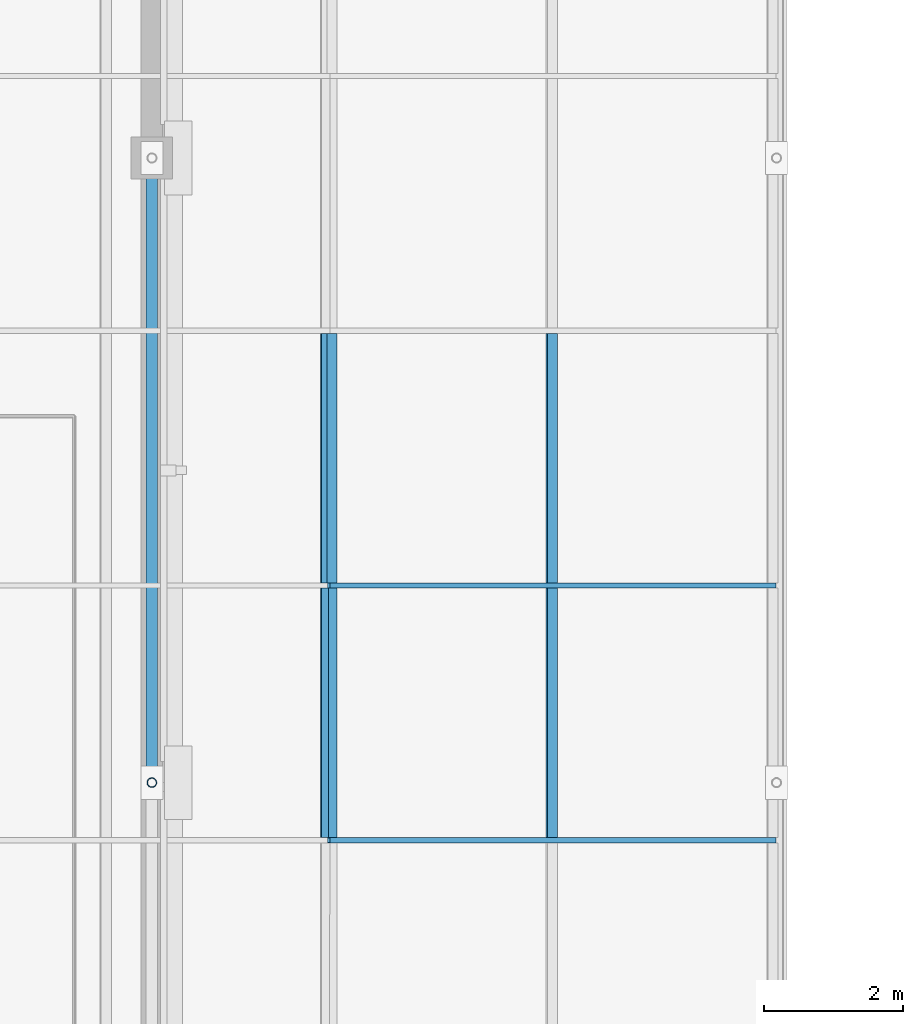
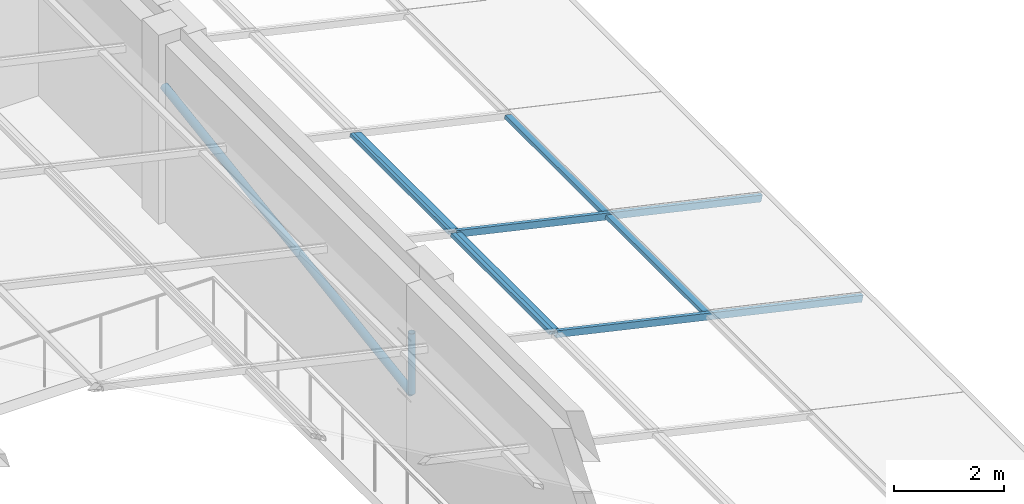
# One storey, part 85 of 130: 10 members, 2 elements without a shape of their own.
"""IFC4 building model written with IfcOpenShell, lengths in metres."""

from ifc_helpers import new_model, si_unit, direction, frame, origin, origin_2d, place, context, subcontext, project, spatial, hollow_rectangle, hollow_circle, extrude, material, material_profile, profile_set, type_object, element, aggregate, save


model = new_model("IFC4")

# Units and contexts
model_context = context("Model", 3, precision=1e-05, world=origin(), true_north=direction((0.0, 1.0)))
body_context = subcontext(model_context, "Body", "Model", "MODEL_VIEW")
ifc_project = project(units=[si_unit("LENGTHUNIT", "METRE"), si_unit("AREAUNIT", "SQUARE_METRE"), si_unit("VOLUMEUNIT", "CUBIC_METRE"), si_unit("PLANEANGLEUNIT", "RADIAN"), si_unit("MASSUNIT", "GRAM", prefix="KILO")], contexts=[model_context])

# Site, building, storey
site_placement = place(None, origin())
site = spatial("IfcSite", under=ifc_project, at=site_placement, CompositionType="ELEMENT")
building_placement = place(site_placement, origin())
building = spatial("IfcBuilding", under=site, at=building_placement, Name="Lykobir Media Centre", CompositionType="ELEMENT")
storey_placement = place(building_placement, frame((0.0, 0.0, 19.199951171875)))
storey = spatial("IfcBuildingStorey", under=building, at=storey_placement, Name="L04", CompositionType="ELEMENT", Elevation=19.199951171875)

# Members
ifc_material_1 = material(Name="Steel S355", Category="steel")
ifc_material_profile_1 = material_profile(ifc_material_1, hollow_circle(Radius=0.06982421875, WallThickness=0.008056640625, at=origin_2d()), Name="CHS 139.7x8.0")
ifc_profile_set_1 = profile_set([ifc_material_profile_1], Name="Steel S355")
member_type_1 = type_object("IfcMemberType", Name="BR-CHS140", PredefinedType="BRACE", material=ifc_profile_set_1)
member_1_placement = place(storey_placement, frame((72.0, 90.0, 2.780029296875), z_axis=(0.0, 0.0, -1.0), x_axis=(1.0, 0.0, 0.0)))
element("IfcMember", 1, at=member_1_placement, inside=storey, type_object=member_type_1, Name="Diagonal brace MEM2-L04-0720-0900-0220-0720-0900-0491", PredefinedType="BRACE", context=body_context, shape_type="SweptSolid", body=[
    extrude(hollow_circle(Radius=0.06982421875, WallThickness=0.008056640625, at=origin_2d()), origin(), (0.0, 0.0, 1.0), 1.35009765625),
])
ifc_material_profile_2 = material_profile(ifc_material_1, hollow_circle(Radius=0.084228515625, WallThickness=0.010009765625, at=origin_2d()), Name="CHS 168.3x10.0")
ifc_profile_set_2 = profile_set([ifc_material_profile_2], Name="Steel S355")
member_type_2 = type_object("IfcMemberType", Name="BR-CHS168", PredefinedType="BRACE", material=ifc_profile_set_2)
member_2_placement = place(storey_placement, frame((72.0, 90.0, 1.429931640625), z_axis=(0.0, 0.988934778637, 0.148350947425), x_axis=(-1.0, 0.0, 0.0)))
element("IfcMember", 2, at=member_2_placement, inside=storey, type_object=member_type_2, Name="Diagonal brace MEM2-L04-0720-0900-0206-0720-0990-0492", PredefinedType="BRACE", context=body_context, shape_type="SweptSolid", body=[
    extrude(hollow_circle(Radius=0.084228515625, WallThickness=0.010009765625, at=origin_2d()), origin(), (0.0, 0.0, 1.0), 9.1005859375),
])

# Curtain wall, members
ifc_material_2 = material(Name="Anodized Aluminium AW-6060", Category="aluminium")
curtain_wall_type = type_object("IfcCurtainWallType", Name="CW-V6-SKY", PredefinedType="NOTDEFINED", material=ifc_material_2)
curtain_wall_1_placement = place(storey_placement, origin())
curtain_wall_1 = element("IfcCurtainWall", 3, at=curtain_wall_1_placement, inside=storey, type_object=curtain_wall_type, Name="Curtain wall CW-V6-SKY01", PredefinedType="NOTDEFINED")
ifc_material_profile_3 = material_profile(ifc_material_2, hollow_rectangle(XDim=0.074951171875, YDim=0.14990234375, WallThickness=0.00341796875, at=origin_2d()), Name="ALU TRANSOM 75x150")
ifc_profile_set_3 = profile_set([ifc_material_profile_3], Name="Anodized Aluminium AW-6060")
member_type_3 = type_object("IfcMemberType", Name="CWT-150", PredefinedType="USERDEFINED", material=ifc_profile_set_3)
member_3_placement = place(storey_placement, frame((80.977783203125, 92.840087890625, 0.901611328125), z_axis=(-0.97526330388, 0.0, 0.221046348318), x_axis=(0.0, -1.0, 0.0)))
member_3 = element("IfcMember", 4, at=member_3_placement, type_object=member_type_3, Name="CW-V6-SKY01 rafter transom 5", ObjectType="TRANSOM", PredefinedType="USERDEFINED", context=body_context, shape_type="SweptSolid", body=[
    extrude(hollow_rectangle(XDim=0.074951171875, YDim=0.14990234375, WallThickness=0.00341796875, at=origin_2d()), origin(), (0.0, 0.0, 1.0), 6.591552734375),
])
member_4_placement = place(storey_placement, frame((80.977783203125, 89.169921875, 0.901611328125), z_axis=(-0.97526330388, 0.0, 0.221046348318), x_axis=(0.0, -1.0, 0.0)))
member_4 = element("IfcMember", 5, at=member_4_placement, type_object=member_type_3, Name="CW-V6-SKY01 rafter transom 6", ObjectType="TRANSOM", PredefinedType="USERDEFINED", context=body_context, shape_type="SweptSolid", body=[
    extrude(hollow_rectangle(XDim=0.074951171875, YDim=0.14990234375, WallThickness=0.00341796875, at=origin_2d()), origin(), (0.0, 0.0, 1.0), 6.591552734375),
])
member_5_placement = place(storey_placement, frame((77.763427734375, 96.472412109375, 1.630126953125), z_axis=(0.0, -1.0, 0.0), x_axis=(0.221054901821, 0.0, 0.975261365164)))
member_5 = element("IfcMember", 6, at=member_5_placement, type_object=member_type_3, Name="CW-V6-SKY01 transom 4.2", ObjectType="TRANSOM", PredefinedType="USERDEFINED", context=body_context, shape_type="SweptSolid", body=[
    extrude(hollow_rectangle(XDim=0.074951171875, YDim=0.14990234375, WallThickness=0.00341796875, at=origin_2d()), origin(), (0.0, 0.0, 1.0), 3.594970703125),
])
member_6_placement = place(storey_placement, frame((74.585693359375, 96.472412109375, 2.350341796875), z_axis=(0.0, -1.0, 0.0), x_axis=(0.221054901821, 0.0, 0.975261365164)))
member_6 = element("IfcMember", 7, at=member_6_placement, type_object=member_type_3, Name="CW-V6-SKY01 transom 4.3", ObjectType="TRANSOM", PredefinedType="USERDEFINED", context=body_context, shape_type="SweptSolid", body=[
    extrude(hollow_rectangle(XDim=0.074951171875, YDim=0.14990234375, WallThickness=0.00341796875, at=origin_2d()), origin(), (0.0, 0.0, 1.0), 3.594970703125),
])
member_7_placement = place(storey_placement, frame((77.763427734375, 92.802490234375, 1.630126953125), z_axis=(0.0, -1.0, 0.0), x_axis=(0.221054901821, 0.0, 0.975261365164)))
member_7 = element("IfcMember", 8, at=member_7_placement, type_object=member_type_3, Name="CW-V6-SKY01 transom 5.2", ObjectType="TRANSOM", PredefinedType="USERDEFINED", context=body_context, shape_type="SweptSolid", body=[
    extrude(hollow_rectangle(XDim=0.074951171875, YDim=0.14990234375, WallThickness=0.00341796875, at=origin_2d()), origin(), (0.0, 0.0, 1.0), 3.594970703125),
])
member_8_placement = place(storey_placement, frame((74.585693359375, 92.802490234375, 2.350341796875), z_axis=(0.0, -1.0, 0.0), x_axis=(0.221054901821, 0.0, 0.975261365164)))
member_8 = element("IfcMember", 9, at=member_8_placement, type_object=member_type_3, Name="CW-V6-SKY01 transom 5.3", ObjectType="TRANSOM", PredefinedType="USERDEFINED", context=body_context, shape_type="SweptSolid", body=[
    extrude(hollow_rectangle(XDim=0.074951171875, YDim=0.14990234375, WallThickness=0.00341796875, at=origin_2d()), origin(), (0.0, 0.0, 1.0), 3.594970703125),
])
aggregate(curtain_wall_1, [member_3, member_4, member_5, member_6, member_7, member_8])

curtain_wall_2_placement = place(storey_placement, origin())
curtain_wall_2 = element("IfcCurtainWall", 10, at=curtain_wall_2_placement, inside=storey, type_object=curtain_wall_type, Name="Curtain wall CW-V6-SKY02", PredefinedType="NOTDEFINED")
member_9_placement = place(storey_placement, frame((74.512451171875, 96.472412109375, 2.366943359375), z_axis=(0.0, -1.0, 0.0), x_axis=(0.221071923309, 0.0, 0.975257506879)))
member_9 = element("IfcMember", 11, at=member_9_placement, type_object=member_type_3, Name="CW-V6-SKY02 transom 4.1", ObjectType="TRANSOM", PredefinedType="USERDEFINED", context=body_context, shape_type="SweptSolid", body=[
    extrude(hollow_rectangle(XDim=0.074951171875, YDim=0.14990234375, WallThickness=0.00341796875, at=origin_2d()), origin(), (0.0, 0.0, 1.0), 3.594970703125),
])
member_10_placement = place(storey_placement, frame((74.512451171875, 92.802490234375, 2.366943359375), z_axis=(0.0, -1.0, 0.0), x_axis=(0.221071923309, 0.0, 0.975257506879)))
member_10 = element("IfcMember", 12, at=member_10_placement, type_object=member_type_3, Name="CW-V6-SKY02 transom 5.1", ObjectType="TRANSOM", PredefinedType="USERDEFINED", context=body_context, shape_type="SweptSolid", body=[
    extrude(hollow_rectangle(XDim=0.074951171875, YDim=0.14990234375, WallThickness=0.00341796875, at=origin_2d()), origin(), (0.0, 0.0, 1.0), 3.594970703125),
])
aggregate(curtain_wall_2, [member_9, member_10])

save(model, "model.ifc")
